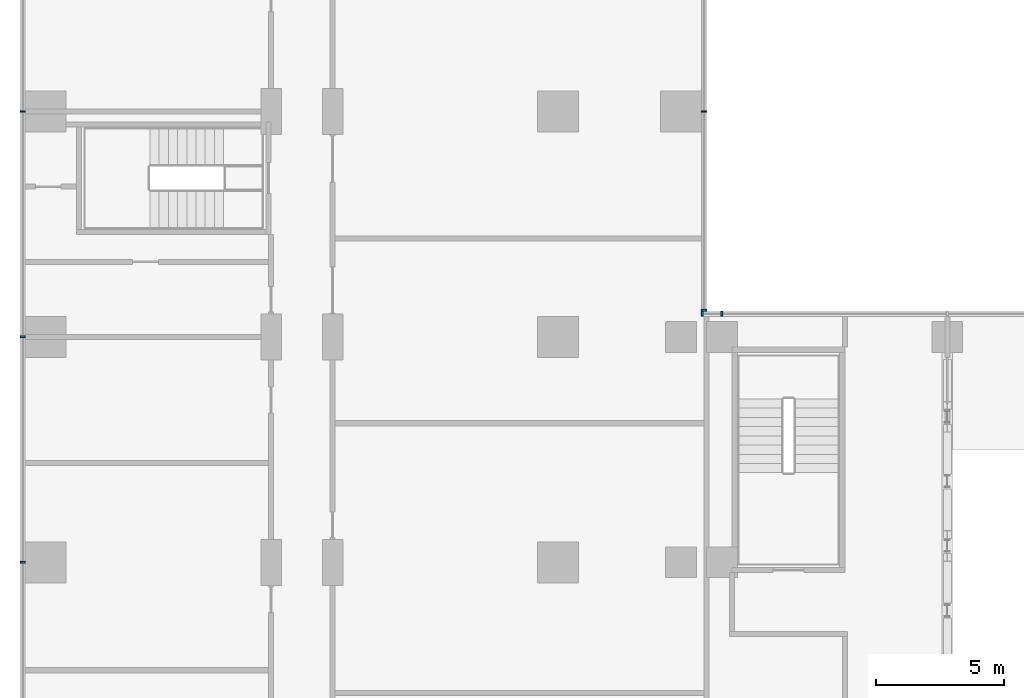
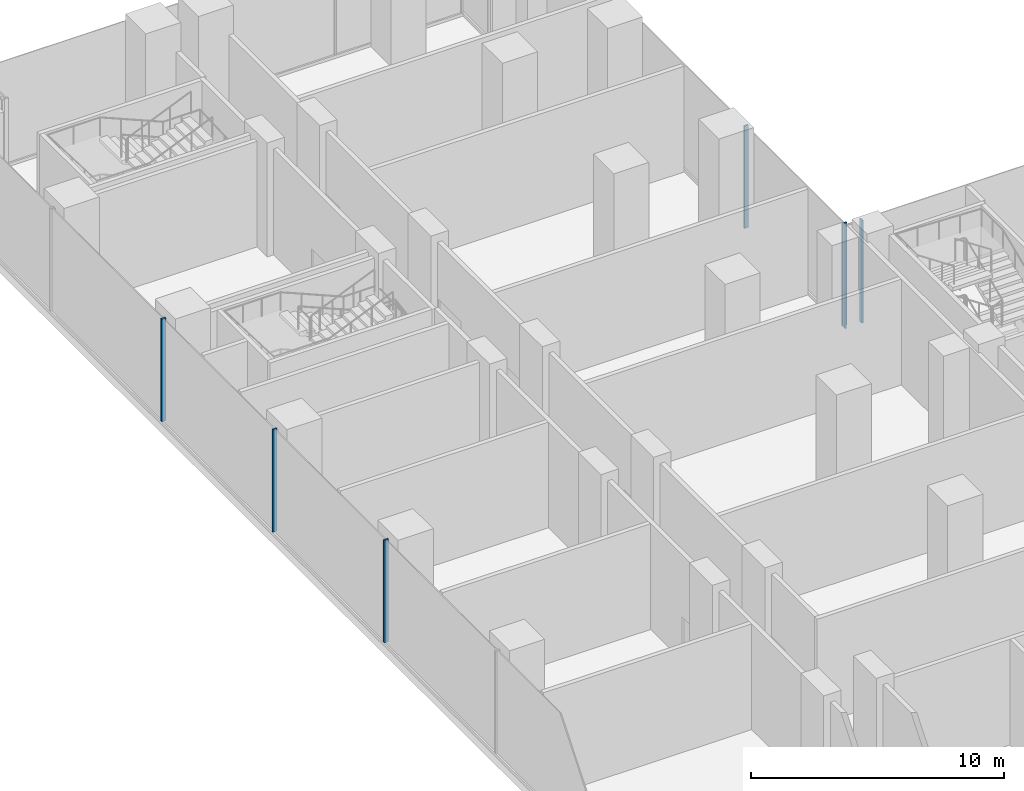
# One storey, part 7 of 30: 7 members, 3 elements without a shape of their own.
"""IFC4 building model written with IfcOpenShell, lengths in metres."""

from ifc_helpers import new_model, si_unit, direction, frame, origin, origin_2d, place, context, subcontext, project, spatial, rectangle, extrude, source, transform, mapped, material, material_profile, profile_set, type_object, element, aggregate, save


model = new_model("IFC4")

# Units and contexts
model_context = context("Model", 3, precision=1e-05, world=origin(), true_north=direction((0.0, 1.0)))
body_context = subcontext(model_context, "Body", "Model", "MODEL_VIEW")
ifc_project = project(units=[si_unit("LENGTHUNIT", "METRE"), si_unit("AREAUNIT", "SQUARE_METRE"), si_unit("VOLUMEUNIT", "CUBIC_METRE"), si_unit("PLANEANGLEUNIT", "RADIAN"), si_unit("MASSUNIT", "GRAM", prefix="KILO")], contexts=[model_context])

# Site, building, storey
site_placement = place(None, origin())
site = spatial("IfcSite", under=ifc_project, at=site_placement, CompositionType="ELEMENT")
building_placement = place(site_placement, origin())
building = spatial("IfcBuilding", under=site, at=building_placement, Name="Kemantara Hotel Tower", CompositionType="ELEMENT")
storey_placement = place(building_placement, frame((0.0, 0.0, 23.5)))
storey = spatial("IfcBuildingStorey", under=building, at=storey_placement, Name="L04", CompositionType="ELEMENT", Elevation=23.5)

# Curtain wall, members
ifc_material_1 = material(Name="Laminated tinted insulated glass 44 mm", Category="glass")
curtain_wall_type = type_object("IfcCurtainWallType", Name="PODIUM GLASS CURTAIN WALL", PredefinedType="USERDEFINED", material=ifc_material_1)
curtain_wall_1_placement = place(storey_placement, origin())
curtain_wall_1 = element("IfcCurtainWall", 1, at=curtain_wall_1_placement, inside=storey, type_object=curtain_wall_type, Name="CW1 L04 POD-R09-1", ObjectType="PODIUM GLASS CURTAIN WALL", PredefinedType="USERDEFINED")
ifc_material_2 = material(Name="Aluminium 6063-T6 bronze anodised", Category="aluminium")
ifc_material_profile = material_profile(ifc_material_2, rectangle(XDim=0.199951171875, YDim=0.074951171875, at=origin_2d()), Name="PODIUM GLASS CURTAIN WALL MULLION")
ifc_profile_set = profile_set([ifc_material_profile], Name="Aluminium 6063-T6 bronze anodised")
member_type = type_object("IfcMemberType", Name="PODIUM GLASS CURTAIN WALL MULLION", PredefinedType="MULLION", material=ifc_profile_set)
shared_shape = source(origin(), body_context, "Body", "SweptSolid", [
    extrude(rectangle(XDim=0.199951171875, YDim=0.074951171875, at=origin_2d()), origin(), (0.0, 0.0, 1.0), 4.9501953125),
])
member_1_placement = place(storey_placement, frame((27.39990234375, 54.699951171875, 0.14990234375), z_axis=(0.0, 0.0, 1.0), x_axis=(0.0, -1.0, 0.0)))
member_1 = element("IfcMember", 2, at=member_1_placement, type_object=member_type, Name="CW1 mullion POD-R09-1.6", PredefinedType="MULLION", context=body_context, shape_type="MappedRepresentation", body=[
    mapped(shared_shape, transform((0.0, 0.0, 0.0))),
])
member_2_placement = place(storey_placement, frame((26.637451171875, 54.699951171875, 0.14990234375), z_axis=(0.0, 0.0, 1.0), x_axis=(0.0, -1.0, 0.0)))
member_2 = element("IfcMember", 3, at=member_2_placement, type_object=member_type, Name="CW1 mullion POD-R09-1.7", PredefinedType="MULLION", context=body_context, shape_type="MappedRepresentation", body=[
    mapped(shared_shape, transform((0.0, 0.0, 0.0))),
])
aggregate(curtain_wall_1, [member_1, member_2])

curtain_wall_2_placement = place(storey_placement, origin())
curtain_wall_2 = element("IfcCurtainWall", 4, at=curtain_wall_2_placement, inside=storey, type_object=curtain_wall_type, Name="CW1 L04 POD-R10-1", ObjectType="PODIUM GLASS CURTAIN WALL", PredefinedType="USERDEFINED")
member_3_placement = place(storey_placement, frame((26.699951171875, 54.83740234375, 0.14990234375), z_axis=(0.0, 0.0, 1.0), x_axis=(-1.0, 0.0, 0.0)))
member_3 = element("IfcMember", 5, at=member_3_placement, type_object=member_type, Name="CW1 mullion POD-R10-1.1", PredefinedType="MULLION", context=body_context, shape_type="MappedRepresentation", body=[
    mapped(shared_shape, transform((0.0, 0.0, 0.0))),
])
member_4_placement = place(storey_placement, frame((26.699951171875, 62.60009765625, 0.14990234375), z_axis=(0.0, 0.0, 1.0), x_axis=(-1.0, 0.0, 0.0)))
member_4 = element("IfcMember", 6, at=member_4_placement, type_object=member_type, Name="CW1 mullion POD-R10-1.2", PredefinedType="MULLION", context=body_context, shape_type="MappedRepresentation", body=[
    mapped(shared_shape, transform((0.0, 0.0, 0.0))),
])
aggregate(curtain_wall_2, [member_3, member_4])

curtain_wall_3_placement = place(storey_placement, origin())
curtain_wall_3 = element("IfcCurtainWall", 7, at=curtain_wall_3_placement, inside=storey, type_object=curtain_wall_type, Name="CW1 L04 POD-R16-1", ObjectType="PODIUM GLASS CURTAIN WALL", PredefinedType="USERDEFINED")
member_5_placement = place(storey_placement, frame((0.10009765625, 62.60009765625, 0.14990234375), z_axis=(0.0, 0.0, 1.0), x_axis=(1.0, 0.0, 0.0)))
member_5 = element("IfcMember", 8, at=member_5_placement, type_object=member_type, Name="CW1 mullion POD-R16-1.3", PredefinedType="MULLION", context=body_context, shape_type="MappedRepresentation", body=[
    mapped(shared_shape, transform((0.0, 0.0, 0.0))),
])
member_6_placement = place(storey_placement, frame((0.10009765625, 53.800048828125, 0.14990234375), z_axis=(0.0, 0.0, 1.0), x_axis=(1.0, 0.0, 0.0)))
member_6 = element("IfcMember", 9, at=member_6_placement, type_object=member_type, Name="CW1 mullion POD-R16-1.4", PredefinedType="MULLION", context=body_context, shape_type="MappedRepresentation", body=[
    mapped(shared_shape, transform((0.0, 0.0, 0.0))),
])
member_7_placement = place(storey_placement, frame((0.10009765625, 45.0, 0.14990234375), z_axis=(0.0, 0.0, 1.0), x_axis=(1.0, 0.0, 0.0)))
member_7 = element("IfcMember", 10, at=member_7_placement, type_object=member_type, Name="CW1 mullion POD-R16-1.5", PredefinedType="MULLION", context=body_context, shape_type="MappedRepresentation", body=[
    mapped(shared_shape, transform((0.0, 0.0, 0.0))),
])
aggregate(curtain_wall_3, [member_5, member_6, member_7])

save(model, "model.ifc")
